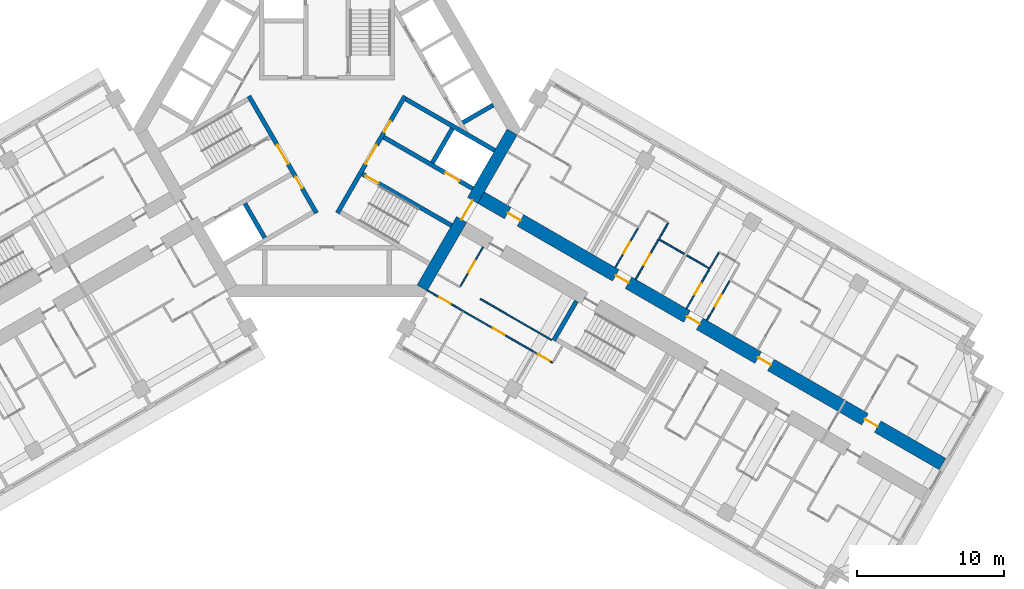
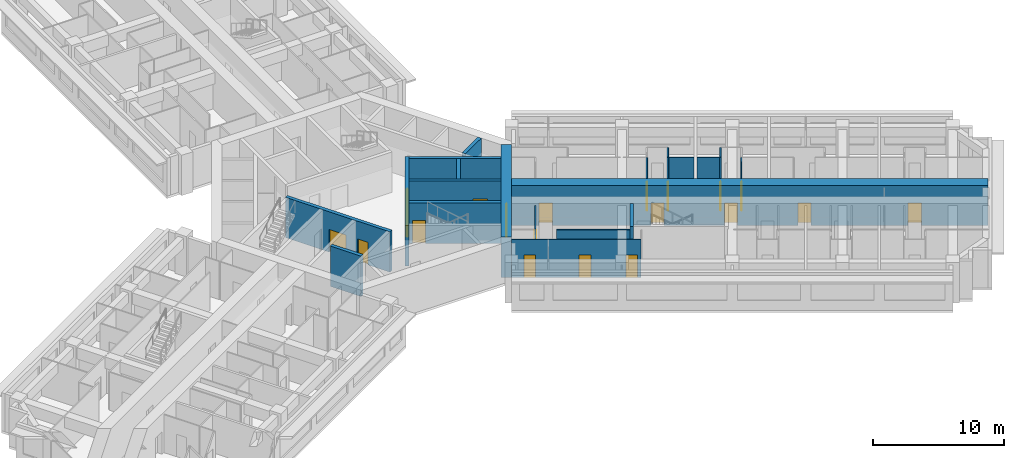
# One storey, part 6 of 13: 22 walls, 20 doors, 20 openings.
"""IFC4 building model written with IfcOpenShell, lengths in metres."""

from ifc_helpers import new_model, si_unit, direction, frame, frame_2d, origin, place, context, subcontext, project, spatial, rectangle, extrude, material, layer, layer_set, type_object, element, fill, save


model = new_model("IFC4")

# Units and contexts
model_context = context("Model", 3, precision=1e-05, world=origin(), true_north=direction((0.0, 1.0)))
body_context = subcontext(model_context, "Body", "Model", "MODEL_VIEW")
ifc_project = project(units=[si_unit("LENGTHUNIT", "METRE"), si_unit("AREAUNIT", "SQUARE_METRE"), si_unit("VOLUMEUNIT", "CUBIC_METRE"), si_unit("PLANEANGLEUNIT", "RADIAN"), si_unit("MASSUNIT", "GRAM", prefix="KILO")], contexts=[model_context])

# Site, building, storey
site_placement = place(None, origin())
site = spatial("IfcSite", under=ifc_project, at=site_placement, CompositionType="ELEMENT")
building_placement = place(site_placement, origin())
building = spatial("IfcBuilding", under=site, at=building_placement, Name="Impinga Residences", CompositionType="ELEMENT")
storey_placement = place(building_placement, frame((0.0, 0.0, 139.75)))
storey = spatial("IfcBuildingStorey", under=building, at=storey_placement, Name="L34", CompositionType="ELEMENT", Elevation=139.75)

# Wall, openings, doors
ifc_material_1 = material(Name="Concrete C60/75", Category="concrete")
ifc_layer_1 = layer(ifc_material_1, 0.89990234375)
ifc_layer_set_1 = layer_set([ifc_layer_1], Name="Concrete C60/75")
wall_type_1 = type_object("IfcWallType", Name="BW2 corridor buttress wall, L24 to L44 900", PredefinedType="SHEAR", material=ifc_layer_set_1)
wall_1_placement = place(storey_placement, frame((10.153564453125, -4.4765625, 0.0), z_axis=(0.0, 0.0, 1.0), x_axis=(0.866027614434, -0.499996171023, 0.0)))
wall_1 = element("IfcWall", 1, at=wall_1_placement, inside=storey, type_object=wall_type_1, Name="Corridor wall BW2 EC L34", PredefinedType="SHEAR", context=body_context, shape_type="SweptSolid", body=[
    extrude(rectangle(XDim=36.699951171875, YDim=0.89990234375, at=frame_2d((18.35009765625, 0.0))), origin(), (0.0, 0.0, 1.0), 3.75),
])
opening_1_placement = place(wall_1_placement, frame((2.5, 0.0, 0.0)))
opening_1 = element("IfcOpeningElement", 2, at=opening_1_placement, cuts=wall_1, Name="Opening D1", PredefinedType="OPENING", context=body_context, shape_type="SweptSolid", body=[
    extrude(rectangle(XDim=1.0, YDim=2.10009765625, at=frame_2d((0.5, 1.050048828125))), frame((0.0, 0.4599609375, 0.0), z_axis=(0.0, -1.0, 0.0), x_axis=(1.0, 0.0, 0.0)), (0.0, 0.0, 1.0), 0.919921875),
])
opening_2_placement = place(wall_1_placement, frame((11.0, 0.0, 0.0)))
opening_2 = element("IfcOpeningElement", 3, at=opening_2_placement, cuts=wall_1, Name="Opening D1", PredefinedType="OPENING", context=body_context, shape_type="SweptSolid", body=[
    extrude(rectangle(XDim=1.0, YDim=2.10009765625, at=frame_2d((0.5, 1.050048828125))), frame((0.0, 0.4599609375, 0.0), z_axis=(0.0, -1.0, 0.0), x_axis=(1.0, 0.0, 0.0)), (0.0, 0.0, 1.0), 0.919921875),
])
opening_3_placement = place(wall_1_placement, frame((16.60009765625, 0.0, 0.0)))
opening_3 = element("IfcOpeningElement", 4, at=opening_3_placement, cuts=wall_1, Name="Opening D1", PredefinedType="OPENING", context=body_context, shape_type="SweptSolid", body=[
    extrude(rectangle(XDim=1.0, YDim=2.10009765625, at=frame_2d((0.5, 1.050048828125))), frame((0.0, 0.4599609375, 0.0), z_axis=(0.0, -1.0, 0.0), x_axis=(1.0, 0.0, 0.0)), (0.0, 0.0, 1.0), 0.919921875),
])
opening_4_placement = place(wall_1_placement, frame((22.199951171875, 0.0, 0.0)))
opening_4 = element("IfcOpeningElement", 5, at=opening_4_placement, cuts=wall_1, Name="Opening D1", PredefinedType="OPENING", context=body_context, shape_type="SweptSolid", body=[
    extrude(rectangle(XDim=1.0, YDim=2.10009765625, at=frame_2d((0.5, 1.050048828125))), frame((0.0, 0.4599609375, 0.0), z_axis=(0.0, -1.0, 0.0), x_axis=(1.0, 0.0, 0.0)), (0.0, 0.0, 1.0), 0.919921875),
])
opening_5_placement = place(wall_1_placement, frame((30.60009765625, 0.0, 0.0)))
opening_5 = element("IfcOpeningElement", 6, at=opening_5_placement, cuts=wall_1, Name="Opening D1", PredefinedType="OPENING", context=body_context, shape_type="SweptSolid", body=[
    extrude(rectangle(XDim=1.0, YDim=2.10009765625, at=frame_2d((0.5, 1.050048828125))), frame((0.0, 0.4599609375, 0.0), z_axis=(0.0, -1.0, 0.0), x_axis=(1.0, 0.0, 0.0)), (0.0, 0.0, 1.0), 0.919921875),
])
ifc_material_2 = material(Name="Timber door set", Category="wood")
door_type_1 = type_object("IfcDoorType", Name="D1 apartment entrance door 1000x2100", OperationType="SINGLE_SWING_LEFT", PredefinedType="DOOR", material=ifc_material_2)
door_1_placement = place(opening_1_placement, origin())
door_1 = element("IfcDoor", 7, at=door_1_placement, inside=storey, type_object=door_type_1, Name="Apartment L34-EA1 entrance", OperationType="SINGLE_SWING_LEFT", OverallHeight=2.10009765625, OverallWidth=1.0, PredefinedType="DOOR", context=body_context, shape_type="SweptSolid", body=[
    extrude(rectangle(XDim=1.0, YDim=2.10009765625, at=frame_2d((0.5, 1.050048828125))), frame((0.0, 0.02490234375, 0.0), z_axis=(0.0, -1.0, 0.0), x_axis=(1.0, 0.0, 0.0)), (0.0, 0.0, 1.0), 0.050048828125),
])
fill(opening_1, door_1)
door_2_placement = place(opening_2_placement, origin())
door_2 = element("IfcDoor", 8, at=door_2_placement, inside=storey, type_object=door_type_1, Name="Apartment L34-EA2 entrance", OperationType="SINGLE_SWING_LEFT", OverallHeight=2.10009765625, OverallWidth=1.0, PredefinedType="DOOR", context=body_context, shape_type="SweptSolid", body=[
    extrude(rectangle(XDim=1.0, YDim=2.10009765625, at=frame_2d((0.5, 1.050048828125))), frame((0.0, 0.02490234375, 0.0), z_axis=(0.0, -1.0, 0.0), x_axis=(1.0, 0.0, 0.0)), (0.0, 0.0, 1.0), 0.050048828125),
])
fill(opening_2, door_2)
door_3_placement = place(opening_3_placement, origin())
door_3 = element("IfcDoor", 9, at=door_3_placement, inside=storey, type_object=door_type_1, Name="Apartment L34-EA3 entrance", OperationType="SINGLE_SWING_LEFT", OverallHeight=2.10009765625, OverallWidth=1.0, PredefinedType="DOOR", context=body_context, shape_type="SweptSolid", body=[
    extrude(rectangle(XDim=1.0, YDim=2.10009765625, at=frame_2d((0.5, 1.050048828125))), frame((0.0, 0.02490234375, 0.0), z_axis=(0.0, -1.0, 0.0), x_axis=(1.0, 0.0, 0.0)), (0.0, 0.0, 1.0), 0.050048828125),
])
fill(opening_3, door_3)
door_4_placement = place(opening_4_placement, origin())
door_4 = element("IfcDoor", 10, at=door_4_placement, inside=storey, type_object=door_type_1, Name="Apartment L34-EA4 entrance", OperationType="SINGLE_SWING_RIGHT", OverallHeight=2.10009765625, OverallWidth=1.0, PredefinedType="DOOR", context=body_context, shape_type="SweptSolid", body=[
    extrude(rectangle(XDim=1.0, YDim=2.10009765625, at=frame_2d((0.5, 1.050048828125))), frame((0.0, 0.02490234375, 0.0), z_axis=(0.0, -1.0, 0.0), x_axis=(1.0, 0.0, 0.0)), (0.0, 0.0, 1.0), 0.050048828125),
])
fill(opening_4, door_4)
door_5_placement = place(opening_5_placement, origin())
door_5 = element("IfcDoor", 11, at=door_5_placement, inside=storey, type_object=door_type_1, Name="Apartment L34-EA5 entrance", OperationType="SINGLE_SWING_RIGHT", OverallHeight=2.10009765625, OverallWidth=1.0, PredefinedType="DOOR", context=body_context, shape_type="SweptSolid", body=[
    extrude(rectangle(XDim=1.0, YDim=2.10009765625, at=frame_2d((0.5, 1.050048828125))), frame((0.0, 0.02490234375, 0.0), z_axis=(0.0, -1.0, 0.0), x_axis=(1.0, 0.0, 0.0)), (0.0, 0.0, 1.0), 0.050048828125),
])
fill(opening_5, door_5)

# Walls
ifc_material_3 = material(Name="Gypsum board on steel studs", Category="steel")
ifc_layer_2 = layer(ifc_material_3, 0.10009765625)
ifc_layer_set_2 = layer_set([ifc_layer_2], Name="Gypsum board on steel studs")
wall_type_2 = type_object("IfcWallType", Name="IP1 partition 100", PredefinedType="PARTITIONING", material=ifc_layer_set_2)
wall_2_placement = place(storey_placement, frame((22.605712890625, -7.5087890625, 0.0), z_axis=(0.0, 0.0, 1.0), x_axis=(0.866010750942, -0.50002537861, 0.0)))
element("IfcWall", 12, at=wall_2_placement, inside=storey, type_object=wall_type_2, Name="Partition L34-EA2:DIV1", PredefinedType="PARTITIONING", context=body_context, shape_type="SweptSolid", body=[
    extrude(rectangle(XDim=2.0, YDim=0.10009765625, at=frame_2d((1.0, 0.0))), origin(), (0.0, 0.0, 1.0), 3.530029296875),
])
wall_3_placement = place(storey_placement, frame((22.630615234375, -7.465576171875, 0.0), z_axis=(0.0, 0.0, 1.0), x_axis=(0.500033551112, 0.866006032174, 0.0)))
element("IfcWall", 13, at=wall_3_placement, inside=storey, type_object=wall_type_2, Name="Partition L34-EA2:SE1", PredefinedType="PARTITIONING", context=body_context, shape_type="SweptSolid", body=[
    extrude(rectangle(XDim=1.2001953125, YDim=0.10009765625, at=frame_2d((0.60009765625, 0.0))), origin(), (0.0, 0.0, 1.0), 3.530029296875),
])

# Wall, opening, door
wall_4_placement = place(storey_placement, frame((19.64501953125, -9.436767578125, 0.0), z_axis=(0.0, 0.0, 1.0), x_axis=(0.500026960575, 0.86600983753, 0.0)))
wall_4 = element("IfcWall", 14, at=wall_4_placement, inside=storey, type_object=wall_type_2, Name="Partition L34-EA2:IB1", PredefinedType="PARTITIONING", context=body_context, shape_type="SweptSolid", body=[
    extrude(rectangle(XDim=3.099853515625, YDim=0.10009765625, at=frame_2d((1.5498046875, 0.0))), origin(), (0.0, 0.0, 1.0), 3.530029296875),
])
opening_6_placement = place(wall_4_placement, frame((1.10009765625, 0.0, 0.0)))
opening_6 = element("IfcOpeningElement", 15, at=opening_6_placement, cuts=wall_4, Name="Opening D2", PredefinedType="OPENING", context=body_context, shape_type="SweptSolid", body=[
    extrude(rectangle(XDim=0.89990234375, YDim=2.10009765625, at=frame_2d((0.449951171875, 1.050048828125))), frame((0.0, 0.06005859375, 0.0), z_axis=(0.0, -1.0, 0.0), x_axis=(1.0, 0.0, 0.0)), (0.0, 0.0, 1.0), 0.1201171875),
])
door_type_2 = type_object("IfcDoorType", Name="D2 internal door 900x2100", OperationType="SINGLE_SWING_LEFT", PredefinedType="DOOR", material=ifc_material_2)
door_6_placement = place(opening_6_placement, origin())
door_6 = element("IfcDoor", 16, at=door_6_placement, inside=storey, type_object=door_type_2, Name="Apartment L34-EA2 bathroom door", OperationType="SINGLE_SWING_LEFT", OverallHeight=2.10009765625, OverallWidth=0.89990234375, PredefinedType="DOOR", context=body_context, shape_type="SweptSolid", body=[
    extrude(rectangle(XDim=0.89990234375, YDim=2.10009765625, at=frame_2d((0.449951171875, 1.050048828125))), frame((0.0, 0.02490234375, 0.0), z_axis=(0.0, -1.0, 0.0), x_axis=(1.0, 0.0, 0.0)), (0.0, 0.0, 1.0), 0.050048828125),
])
fill(opening_6, door_6)

wall_5_placement = place(storey_placement, frame((21.03076171875, -10.23681640625, 0.0), z_axis=(0.0, 0.0, 1.0), x_axis=(0.500026960575, 0.86600983753, 0.0)))
wall_5 = element("IfcWall", 17, at=wall_5_placement, inside=storey, type_object=wall_type_2, Name="Partition L34-EA2:IB2", PredefinedType="PARTITIONING", context=body_context, shape_type="SweptSolid", body=[
    extrude(rectangle(XDim=3.099853515625, YDim=0.10009765625, at=frame_2d((1.5498046875, 0.0))), origin(), (0.0, 0.0, 1.0), 3.530029296875),
])
opening_7_placement = place(wall_5_placement, frame((1.10009765625, 0.0, 0.0)))
opening_7 = element("IfcOpeningElement", 18, at=opening_7_placement, cuts=wall_5, Name="Opening D2", PredefinedType="OPENING", context=body_context, shape_type="SweptSolid", body=[
    extrude(rectangle(XDim=0.89990234375, YDim=2.10009765625, at=frame_2d((0.449951171875, 1.050048828125))), frame((0.0, 0.06005859375, 0.0), z_axis=(0.0, -1.0, 0.0), x_axis=(1.0, 0.0, 0.0)), (0.0, 0.0, 1.0), 0.1201171875),
])
door_7_placement = place(opening_7_placement, origin())
door_7 = element("IfcDoor", 19, at=door_7_placement, inside=storey, type_object=door_type_2, Name="Apartment L34-EA2 WC door", OperationType="SINGLE_SWING_LEFT", OverallHeight=2.10009765625, OverallWidth=0.89990234375, PredefinedType="DOOR", context=body_context, shape_type="SweptSolid", body=[
    extrude(rectangle(XDim=0.89990234375, YDim=2.10009765625, at=frame_2d((0.449951171875, 1.050048828125))), frame((0.0, 0.02490234375, 0.0), z_axis=(0.0, -1.0, 0.0), x_axis=(1.0, 0.0, 0.0)), (0.0, 0.0, 1.0), 0.050048828125),
])
fill(opening_7, door_7)

# Walls
wall_6_placement = place(storey_placement, frame((24.510986328125, -8.60888671875, 0.0), z_axis=(0.0, 0.0, 1.0), x_axis=(0.866047807691, -0.499961193289, 0.0)))
element("IfcWall", 20, at=wall_6_placement, inside=storey, type_object=wall_type_2, Name="Partition L34-EA3:DIV0", PredefinedType="PARTITIONING", context=body_context, shape_type="SweptSolid", body=[
    extrude(rectangle(XDim=1.800048828125, YDim=0.10009765625, at=frame_2d((0.89990234375, 0.0))), origin(), (0.0, 0.0, 1.0), 3.530029296875),
])
wall_7_placement = place(storey_placement, frame((26.0947265625, -9.465576171875, 0.0), z_axis=(0.0, 0.0, 1.0), x_axis=(0.500033551112, 0.866006032174, 0.0)))
element("IfcWall", 21, at=wall_7_placement, inside=storey, type_object=wall_type_2, Name="Partition L34-EA3:SE0", PredefinedType="PARTITIONING", context=body_context, shape_type="SweptSolid", body=[
    extrude(rectangle(XDim=1.2001953125, YDim=0.10009765625, at=frame_2d((0.60009765625, 0.0))), origin(), (0.0, 0.0, 1.0), 3.530029296875),
])

# Wall, opening, door
wall_8_placement = place(storey_placement, frame((24.494873046875, -12.23681640625, 0.0), z_axis=(0.0, 0.0, 1.0), x_axis=(0.500026960575, 0.86600983753, 0.0)))
wall_8 = element("IfcWall", 22, at=wall_8_placement, inside=storey, type_object=wall_type_2, Name="Partition L34-EA3:IB1", PredefinedType="PARTITIONING", context=body_context, shape_type="SweptSolid", body=[
    extrude(rectangle(XDim=3.099853515625, YDim=0.10009765625, at=frame_2d((1.5498046875, 0.0))), origin(), (0.0, 0.0, 1.0), 3.530029296875),
])
opening_8_placement = place(wall_8_placement, frame((1.10009765625, 0.0, 0.0)))
opening_8 = element("IfcOpeningElement", 23, at=opening_8_placement, cuts=wall_8, Name="Opening D2", PredefinedType="OPENING", context=body_context, shape_type="SweptSolid", body=[
    extrude(rectangle(XDim=0.89990234375, YDim=2.10009765625, at=frame_2d((0.449951171875, 1.050048828125))), frame((0.0, 0.06005859375, 0.0), z_axis=(0.0, -1.0, 0.0), x_axis=(1.0, 0.0, 0.0)), (0.0, 0.0, 1.0), 0.1201171875),
])
door_8_placement = place(opening_8_placement, origin())
door_8 = element("IfcDoor", 24, at=door_8_placement, inside=storey, type_object=door_type_2, Name="Apartment L34-EA3 bathroom door", OperationType="SINGLE_SWING_LEFT", OverallHeight=2.10009765625, OverallWidth=0.89990234375, PredefinedType="DOOR", context=body_context, shape_type="SweptSolid", body=[
    extrude(rectangle(XDim=0.89990234375, YDim=2.10009765625, at=frame_2d((0.449951171875, 1.050048828125))), frame((0.0, 0.02490234375, 0.0), z_axis=(0.0, -1.0, 0.0), x_axis=(1.0, 0.0, 0.0)), (0.0, 0.0, 1.0), 0.050048828125),
])
fill(opening_8, door_8)

wall_9_placement = place(storey_placement, frame((25.88037109375, -13.036865234375, 0.0), z_axis=(0.0, 0.0, 1.0), x_axis=(0.49999285859, 0.86602952684, 0.0)))
wall_9 = element("IfcWall", 25, at=wall_9_placement, inside=storey, type_object=wall_type_2, Name="Partition L34-EA3:IB2", PredefinedType="PARTITIONING", context=body_context, shape_type="SweptSolid", body=[
    extrude(rectangle(XDim=3.10009765625, YDim=0.10009765625, at=frame_2d((1.550048828125, 0.0))), origin(), (0.0, 0.0, 1.0), 3.530029296875),
])
opening_9_placement = place(wall_9_placement, frame((1.10009765625, 0.0, 0.0)))
opening_9 = element("IfcOpeningElement", 26, at=opening_9_placement, cuts=wall_9, Name="Opening D2", PredefinedType="OPENING", context=body_context, shape_type="SweptSolid", body=[
    extrude(rectangle(XDim=0.89990234375, YDim=2.10009765625, at=frame_2d((0.449951171875, 1.050048828125))), frame((0.0, 0.06005859375, 0.0), z_axis=(0.0, -1.0, 0.0), x_axis=(1.0, 0.0, 0.0)), (0.0, 0.0, 1.0), 0.1201171875),
])
door_9_placement = place(opening_9_placement, origin())
door_9 = element("IfcDoor", 27, at=door_9_placement, inside=storey, type_object=door_type_2, Name="Apartment L34-EA3 WC door", OperationType="SINGLE_SWING_LEFT", OverallHeight=2.10009765625, OverallWidth=0.89990234375, PredefinedType="DOOR", context=body_context, shape_type="SweptSolid", body=[
    extrude(rectangle(XDim=0.89990234375, YDim=2.10009765625, at=frame_2d((0.449951171875, 1.050048828125))), frame((0.0, 0.02490234375, 0.0), z_axis=(0.0, -1.0, 0.0), x_axis=(1.0, 0.0, 0.0)), (0.0, 0.0, 1.0), 0.050048828125),
])
fill(opening_9, door_9)

# Wall
wall_10_placement = place(storey_placement, frame((10.444580078125, -11.57275390625, 0.0), z_axis=(0.0, 0.0, 1.0), x_axis=(0.866015695474, -0.500016814911, 0.0)))
element("IfcWall", 28, at=wall_10_placement, inside=storey, type_object=wall_type_2, Name="Partition L34-EF1:DIV1", PredefinedType="PARTITIONING", context=body_context, shape_type="SweptSolid", body=[
    extrude(rectangle(XDim=5.599853515625, YDim=0.10009765625, at=frame_2d((2.7998046875, 0.0))), origin(), (0.0, 0.0, 1.0), 3.530029296875),
])

# Wall, openings, doors
wall_11_placement = place(storey_placement, frame((6.85009765625, -10.99853515625, 0.0), z_axis=(0.0, 0.0, 1.0), x_axis=(0.866021308241, -0.500007093622, 0.0)))
wall_11 = element("IfcWall", 29, at=wall_11_placement, inside=storey, type_object=wall_type_2, Name="Partition L34-EF1:STRIP", PredefinedType="PARTITIONING", context=body_context, shape_type="SweptSolid", body=[
    extrude(rectangle(XDim=9.849853515625, YDim=0.10009765625, at=frame_2d((4.9248046875, 0.0))), origin(), (0.0, 0.0, 1.0), 3.530029296875),
])
opening_10_placement = place(wall_11_placement, frame((0.925048828125, 0.0, 0.0)))
opening_10 = element("IfcOpeningElement", 30, at=opening_10_placement, cuts=wall_11, Name="Opening D2", PredefinedType="OPENING", context=body_context, shape_type="SweptSolid", body=[
    extrude(rectangle(XDim=0.89990234375, YDim=2.10009765625, at=frame_2d((0.449951171875, 1.050048828125))), frame((0.0, 0.06005859375, 0.0), z_axis=(0.0, -1.0, 0.0), x_axis=(1.0, 0.0, 0.0)), (0.0, 0.0, 1.0), 0.1201171875),
])
opening_11_placement = place(wall_11_placement, frame((5.14990234375, 0.0, 0.0)))
opening_11 = element("IfcOpeningElement", 31, at=opening_11_placement, cuts=wall_11, Name="Opening D2", PredefinedType="OPENING", context=body_context, shape_type="SweptSolid", body=[
    extrude(rectangle(XDim=0.89990234375, YDim=2.10009765625, at=frame_2d((0.449951171875, 1.050048828125))), frame((0.0, 0.06005859375, 0.0), z_axis=(0.0, -1.0, 0.0), x_axis=(1.0, 0.0, 0.0)), (0.0, 0.0, 1.0), 0.1201171875),
])
opening_12_placement = place(wall_11_placement, frame((8.699951171875, 0.0, 0.0)))
opening_12 = element("IfcOpeningElement", 32, at=opening_12_placement, cuts=wall_11, Name="Opening D2", PredefinedType="OPENING", context=body_context, shape_type="SweptSolid", body=[
    extrude(rectangle(XDim=0.89990234375, YDim=2.10009765625, at=frame_2d((0.449951171875, 1.050048828125))), frame((0.0, 0.06005859375, 0.0), z_axis=(0.0, -1.0, 0.0), x_axis=(1.0, 0.0, 0.0)), (0.0, 0.0, 1.0), 0.1201171875),
])
door_10_placement = place(opening_10_placement, origin())
door_10 = element("IfcDoor", 33, at=door_10_placement, inside=storey, type_object=door_type_2, Name="Apartment L34-EF1 room door", OperationType="SINGLE_SWING_LEFT", OverallHeight=2.10009765625, OverallWidth=0.89990234375, PredefinedType="DOOR", context=body_context, shape_type="SweptSolid", body=[
    extrude(rectangle(XDim=0.89990234375, YDim=2.10009765625, at=frame_2d((0.449951171875, 1.050048828125))), frame((0.0, 0.02490234375, 0.0), z_axis=(0.0, -1.0, 0.0), x_axis=(1.0, 0.0, 0.0)), (0.0, 0.0, 1.0), 0.050048828125),
])
fill(opening_10, door_10)
door_11_placement = place(opening_11_placement, origin())
door_11 = element("IfcDoor", 34, at=door_11_placement, inside=storey, type_object=door_type_2, Name="Apartment L34-EF1 room door", OperationType="SINGLE_SWING_RIGHT", OverallHeight=2.10009765625, OverallWidth=0.89990234375, PredefinedType="DOOR", context=body_context, shape_type="SweptSolid", body=[
    extrude(rectangle(XDim=0.89990234375, YDim=2.10009765625, at=frame_2d((0.449951171875, 1.050048828125))), frame((0.0, 0.02490234375, 0.0), z_axis=(0.0, -1.0, 0.0), x_axis=(1.0, 0.0, 0.0)), (0.0, 0.0, 1.0), 0.050048828125),
])
fill(opening_11, door_11)
door_12_placement = place(opening_12_placement, origin())
door_12 = element("IfcDoor", 35, at=door_12_placement, inside=storey, type_object=door_type_2, Name="Apartment L34-EF1 room door", OperationType="SINGLE_SWING_RIGHT", OverallHeight=2.10009765625, OverallWidth=0.89990234375, PredefinedType="DOOR", context=body_context, shape_type="SweptSolid", body=[
    extrude(rectangle(XDim=0.89990234375, YDim=2.10009765625, at=frame_2d((0.449951171875, 1.050048828125))), frame((0.0, 0.02490234375, 0.0), z_axis=(0.0, -1.0, 0.0), x_axis=(1.0, 0.0, 0.0)), (0.0, 0.0, 1.0), 0.050048828125),
])
fill(opening_12, door_12)

# Wall, opening, door
wall_12_placement = place(storey_placement, frame((10.6337890625, -8.044677734375, 0.0), z_axis=(0.0, 0.0, 1.0), x_axis=(-0.49999285859, -0.86602952684, 0.0)))
wall_12 = element("IfcWall", 36, at=wall_12_placement, inside=storey, type_object=wall_type_2, Name="Partition L34-EF1:IB1", PredefinedType="PARTITIONING", context=body_context, shape_type="SweptSolid", body=[
    extrude(rectangle(XDim=3.10009765625, YDim=0.10009765625, at=frame_2d((1.550048828125, 0.0))), origin(), (0.0, 0.0, 1.0), 3.530029296875),
])
opening_13_placement = place(wall_12_placement, frame((1.10009765625, 0.0, 0.0)))
opening_13 = element("IfcOpeningElement", 37, at=opening_13_placement, cuts=wall_12, Name="Opening D2", PredefinedType="OPENING", context=body_context, shape_type="SweptSolid", body=[
    extrude(rectangle(XDim=0.89990234375, YDim=2.10009765625, at=frame_2d((0.449951171875, 1.050048828125))), frame((0.0, 0.06005859375, 0.0), z_axis=(0.0, -1.0, 0.0), x_axis=(1.0, 0.0, 0.0)), (0.0, 0.0, 1.0), 0.1201171875),
])
door_13_placement = place(opening_13_placement, origin())
door_13 = element("IfcDoor", 38, at=door_13_placement, inside=storey, type_object=door_type_2, Name="Apartment L34-EF1 bathroom door", OperationType="SINGLE_SWING_LEFT", OverallHeight=2.10009765625, OverallWidth=0.89990234375, PredefinedType="DOOR", context=body_context, shape_type="SweptSolid", body=[
    extrude(rectangle(XDim=0.89990234375, YDim=2.10009765625, at=frame_2d((0.449951171875, 1.050048828125))), frame((0.0, 0.02490234375, 0.0), z_axis=(0.0, -1.0, 0.0), x_axis=(1.0, 0.0, 0.0)), (0.0, 0.0, 1.0), 0.050048828125),
])
fill(opening_13, door_13)

# Wall
ifc_layer_3 = layer(ifc_material_1, 0.300048828125)
ifc_layer_set_3 = layer_set([ifc_layer_3], Name="Concrete C60/75")
wall_type_3 = type_object("IfcWallType", Name="SE1 wing stair enclosure wall 300", PredefinedType="SOLIDWALL", material=ifc_layer_set_3)
wall_13_placement = place(storey_placement, frame((16.9990234375, -11.7197265625, 0.0), z_axis=(0.0, 0.0, 1.0), x_axis=(-0.499967891604, -0.866043940782, 0.0)))
element("IfcWall", 39, at=wall_13_placement, inside=storey, type_object=wall_type_3, Name="Stair enclosure wall SE1 E END0 L34", PredefinedType="SOLIDWALL", context=body_context, shape_type="SweptSolid", body=[
    extrude(rectangle(XDim=3.099853515625, YDim=0.300048828125, at=frame_2d((1.5498046875, 0.0))), origin(), (0.0, 0.0, 1.0), 3.75),
])

# Wall, opening, door
ifc_layer_4 = layer(ifc_material_1, 0.800048828125)
ifc_layer_set_4 = layer_set([ifc_layer_4], Name="Concrete C60/75")
wall_type_4 = type_object("IfcWallType", Name="SW2 core wall 800", PredefinedType="SHEAR", material=ifc_layer_set_4)
wall_14_placement = place(storey_placement, frame((12.62255859375, -0.199951171875, 0.0), z_axis=(0.0, 0.0, 1.0), x_axis=(-0.499986991068, -0.866032914365, 0.0)))
wall_14 = element("IfcWall", 40, at=wall_14_placement, inside=storey, type_object=wall_type_4, Name="Core wall SW2 E:FACE L34", PredefinedType="SHEAR", context=body_context, shape_type="SweptSolid", body=[
    extrude(rectangle(XDim=12.276123046875, YDim=0.800048828125, at=frame_2d((6.13818359375, 0.0))), origin(), (0.0, 0.0, 1.0), 3.75),
])
opening_14_placement = place(wall_14_placement, frame((5.38818359375, 0.0, 0.0)))
opening_14 = element("IfcOpeningElement", 41, at=opening_14_placement, cuts=wall_14, Name="Opening D4", PredefinedType="OPENING", context=body_context, shape_type="SweptSolid", body=[
    extrude(rectangle(XDim=1.5, YDim=2.10009765625, at=frame_2d((0.75, 1.050048828125))), frame((0.0, 0.409912109375, 0.0), z_axis=(0.0, -1.0, 0.0), x_axis=(1.0, 0.0, 0.0)), (0.0, 0.0, 1.0), 0.820068359375),
])
door_type_3 = type_object("IfcDoorType", Name="D4 lobby door pair 1500x2100", OperationType="DOUBLE_DOOR_DOUBLE_SWING", PredefinedType="DOOR", material=ifc_material_2)
door_14_placement = place(opening_14_placement, origin())
door_14 = element("IfcDoor", 42, at=door_14_placement, inside=storey, type_object=door_type_3, Name="Lobby door E", OperationType="DOUBLE_DOOR_DOUBLE_SWING", OverallHeight=2.10009765625, OverallWidth=1.5, PredefinedType="DOOR", context=body_context, shape_type="SweptSolid", body=[
    extrude(rectangle(XDim=1.5, YDim=2.10009765625, at=frame_2d((0.75, 1.050048828125))), frame((0.0, 0.02490234375, 0.0), z_axis=(0.0, -1.0, 0.0), x_axis=(1.0, 0.0, 0.0)), (0.0, 0.0, 1.0), 0.050048828125),
])
fill(opening_14, door_14)

# Wall, openings, doors
ifc_material_4 = material(Name="Concrete C70/85", Category="concrete")
ifc_layer_5 = layer(ifc_material_4, 0.300048828125)
ifc_layer_set_5 = layer_set([ifc_layer_5], Name="Concrete C70/85")
wall_type_5 = type_object("IfcWallType", Name="SW5 core inner wall, stairs, shafts and lobbies 300", PredefinedType="SHEAR", material=ifc_layer_set_5)
wall_15_placement = place(storey_placement, frame((-0.7138671875, -5.7236328125, 0.0), z_axis=(0.0, 0.0, 1.0), x_axis=(-0.499995050369, 0.866028261437, 0.0)))
wall_15 = element("IfcWall", 43, at=wall_15_placement, inside=storey, type_object=wall_type_5, Name="Core wall SW5 W:ZONE L34", PredefinedType="SHEAR", context=body_context, shape_type="SweptSolid", body=[
    extrude(rectangle(XDim=9.19970703125, YDim=0.300048828125, at=frame_2d((4.599853515625, 0.0))), origin(), (0.0, 0.0, 1.0), 3.75),
])
opening_15_placement = place(wall_15_placement, frame((3.85009765625, 0.0, 0.0)))
opening_15 = element("IfcOpeningElement", 44, at=opening_15_placement, cuts=wall_15, Name="Opening D4", PredefinedType="OPENING", context=body_context, shape_type="SweptSolid", body=[
    extrude(rectangle(XDim=1.5, YDim=2.10009765625, at=frame_2d((0.75, 1.050048828125))), frame((0.0, 0.159912109375, 0.0), z_axis=(0.0, -1.0, 0.0), x_axis=(1.0, 0.0, 0.0)), (0.0, 0.0, 1.0), 0.320068359375),
])
opening_16_placement = place(wall_15_placement, frame((1.949951171875, 0.0, 0.0)))
opening_16 = element("IfcOpeningElement", 45, at=opening_16_placement, cuts=wall_15, Name="Opening D6", PredefinedType="OPENING", context=body_context, shape_type="SweptSolid", body=[
    extrude(rectangle(XDim=0.89990234375, YDim=2.10009765625, at=frame_2d((0.449951171875, 1.050048828125))), frame((0.0, 0.159912109375, 0.0), z_axis=(0.0, -1.0, 0.0), x_axis=(1.0, 0.0, 0.0)), (0.0, 0.0, 1.0), 0.320068359375),
])
door_15_placement = place(opening_15_placement, origin())
door_15 = element("IfcDoor", 46, at=door_15_placement, inside=storey, type_object=door_type_3, Name="Firefighting lobby door W", OperationType="DOUBLE_DOOR_DOUBLE_SWING", OverallHeight=2.10009765625, OverallWidth=1.5, PredefinedType="DOOR", context=body_context, shape_type="SweptSolid", body=[
    extrude(rectangle(XDim=1.5, YDim=2.10009765625, at=frame_2d((0.75, 1.050048828125))), frame((0.0, 0.02490234375, 0.0), z_axis=(0.0, -1.0, 0.0), x_axis=(1.0, 0.0, 0.0)), (0.0, 0.0, 1.0), 0.050048828125),
])
fill(opening_15, door_15)
door_type_4 = type_object("IfcDoorType", Name="D6 riser and store door 900x2100", OperationType="SINGLE_SWING_LEFT", PredefinedType="DOOR", material=ifc_material_2)
door_16_placement = place(opening_16_placement, origin())
door_16 = element("IfcDoor", 47, at=door_16_placement, inside=storey, type_object=door_type_4, Name="Riser door W", OperationType="SINGLE_SWING_LEFT", OverallHeight=2.10009765625, OverallWidth=0.89990234375, PredefinedType="DOOR", context=body_context, shape_type="SweptSolid", body=[
    extrude(rectangle(XDim=0.89990234375, YDim=2.10009765625, at=frame_2d((0.449951171875, 1.050048828125))), frame((0.0, 0.02490234375, 0.0), z_axis=(0.0, -1.0, 0.0), x_axis=(1.0, 0.0, 0.0)), (0.0, 0.0, 1.0), 0.050048828125),
])
fill(opening_16, door_16)

# Wall
wall_16_placement = place(storey_placement, frame((-4.2412109375, -7.413818359375, 0.0), z_axis=(0.0, 0.0, 1.0), x_axis=(-0.500048589285, 0.86599734893, 0.0)))
element("IfcWall", 48, at=wall_16_placement, inside=storey, type_object=wall_type_5, Name="Core wall SW5 W:FF-RS L34", PredefinedType="SHEAR", context=body_context, shape_type="SweptSolid", body=[
    extrude(rectangle(XDim=2.699951171875, YDim=0.300048828125, at=frame_2d((1.35009765625, 0.0))), origin(), (0.0, 0.0, 1.0), 3.75),
])

# Wall, openings, doors
wall_17_placement = place(storey_placement, frame((5.313720703125, 2.24365234375, 0.0), z_axis=(0.0, 0.0, 1.0), x_axis=(-0.499995050369, -0.866028261437, 0.0)))
wall_17 = element("IfcWall", 49, at=wall_17_placement, inside=storey, type_object=wall_type_5, Name="Core wall SW5 E:ZONE L34", PredefinedType="SHEAR", context=body_context, shape_type="SweptSolid", body=[
    extrude(rectangle(XDim=9.19970703125, YDim=0.300048828125, at=frame_2d((4.599853515625, 0.0))), origin(), (0.0, 0.0, 1.0), 3.75),
])
opening_17_placement = place(wall_17_placement, frame((3.85009765625, 0.0, 0.0)))
opening_17 = element("IfcOpeningElement", 50, at=opening_17_placement, cuts=wall_17, Name="Opening D4", PredefinedType="OPENING", context=body_context, shape_type="SweptSolid", body=[
    extrude(rectangle(XDim=1.5, YDim=2.10009765625, at=frame_2d((0.75, 1.050048828125))), frame((0.0, 0.159912109375, 0.0), z_axis=(0.0, -1.0, 0.0), x_axis=(1.0, 0.0, 0.0)), (0.0, 0.0, 1.0), 0.320068359375),
])
opening_18_placement = place(wall_17_placement, frame((1.949951171875, 0.0, 0.0)))
opening_18 = element("IfcOpeningElement", 51, at=opening_18_placement, cuts=wall_17, Name="Opening D6", PredefinedType="OPENING", context=body_context, shape_type="SweptSolid", body=[
    extrude(rectangle(XDim=0.89990234375, YDim=2.10009765625, at=frame_2d((0.449951171875, 1.050048828125))), frame((0.0, 0.159912109375, 0.0), z_axis=(0.0, -1.0, 0.0), x_axis=(1.0, 0.0, 0.0)), (0.0, 0.0, 1.0), 0.320068359375),
])
door_17_placement = place(opening_17_placement, origin())
door_17 = element("IfcDoor", 52, at=door_17_placement, inside=storey, type_object=door_type_3, Name="Firefighting lobby door E", OperationType="DOUBLE_DOOR_DOUBLE_SWING", OverallHeight=2.10009765625, OverallWidth=1.5, PredefinedType="DOOR", context=body_context, shape_type="SweptSolid", body=[
    extrude(rectangle(XDim=1.5, YDim=2.10009765625, at=frame_2d((0.75, 1.050048828125))), frame((0.0, 0.02490234375, 0.0), z_axis=(0.0, -1.0, 0.0), x_axis=(1.0, 0.0, 0.0)), (0.0, 0.0, 1.0), 0.050048828125),
])
fill(opening_17, door_17)
door_18_placement = place(opening_18_placement, origin())
door_18 = element("IfcDoor", 53, at=door_18_placement, inside=storey, type_object=door_type_4, Name="Riser door E", OperationType="SINGLE_SWING_LEFT", OverallHeight=2.10009765625, OverallWidth=0.89990234375, PredefinedType="DOOR", context=body_context, shape_type="SweptSolid", body=[
    extrude(rectangle(XDim=0.89990234375, YDim=2.10009765625, at=frame_2d((0.449951171875, 1.050048828125))), frame((0.0, 0.02490234375, 0.0), z_axis=(0.0, -1.0, 0.0), x_axis=(1.0, 0.0, 0.0)), (0.0, 0.0, 1.0), 0.050048828125),
])
fill(opening_18, door_18)

# Wall, opening, door
wall_18_placement = place(storey_placement, frame((2.418701171875, -3.07080078125, 0.0), z_axis=(0.0, 0.0, 1.0), x_axis=(0.866026480128, -0.499998135713, 0.0)))
wall_18 = element("IfcWall", 54, at=wall_18_placement, inside=storey, type_object=wall_type_5, Name="Core wall SW5 E:ST-IN L34", PredefinedType="SHEAR", context=body_context, shape_type="SweptSolid", body=[
    extrude(rectangle(XDim=7.00146484375, YDim=0.300048828125, at=frame_2d((3.500732421875, 0.0))), origin(), (0.0, 0.0, 1.0), 3.75),
])
opening_19_placement = place(wall_18_placement, frame((0.25, 0.0, 0.0)))
opening_19 = element("IfcOpeningElement", 55, at=opening_19_placement, cuts=wall_18, Name="Opening D5", PredefinedType="OPENING", context=body_context, shape_type="SweptSolid", body=[
    extrude(rectangle(XDim=1.0, YDim=2.10009765625, at=frame_2d((0.5, 1.050048828125))), frame((0.0, 0.159912109375, 0.0), z_axis=(0.0, -1.0, 0.0), x_axis=(1.0, 0.0, 0.0)), (0.0, 0.0, 1.0), 0.320068359375),
])
door_type_5 = type_object("IfcDoorType", Name="D5 stair door 1000x2100", OperationType="SINGLE_SWING_LEFT", PredefinedType="DOOR", material=ifc_material_2)
door_19_placement = place(opening_19_placement, origin())
door_19 = element("IfcDoor", 56, at=door_19_placement, inside=storey, type_object=door_type_5, Name="Stair door E", OperationType="SINGLE_SWING_LEFT", OverallHeight=2.10009765625, OverallWidth=1.0, PredefinedType="DOOR", context=body_context, shape_type="SweptSolid", body=[
    extrude(rectangle(XDim=1.0, YDim=2.10009765625, at=frame_2d((0.5, 1.050048828125))), frame((0.0, 0.02490234375, 0.0), z_axis=(0.0, -1.0, 0.0), x_axis=(1.0, 0.0, 0.0)), (0.0, 0.0, 1.0), 0.050048828125),
])
fill(opening_19, door_19)

wall_19_placement = place(storey_placement, frame((3.86865234375, -0.559326171875, 0.0), z_axis=(0.0, 0.0, 1.0), x_axis=(0.866026480128, -0.499998135713, 0.0)))
wall_19 = element("IfcWall", 57, at=wall_19_placement, inside=storey, type_object=wall_type_5, Name="Core wall SW5 E:FF-IN L34", PredefinedType="SHEAR", context=body_context, shape_type="SweptSolid", body=[
    extrude(rectangle(XDim=7.00146484375, YDim=0.300048828125, at=frame_2d((3.500732421875, 0.0))), origin(), (0.0, 0.0, 1.0), 3.75),
])
opening_20_placement = place(wall_19_placement, frame((4.85009765625, 0.0, 0.0)))
opening_20 = element("IfcOpeningElement", 58, at=opening_20_placement, cuts=wall_19, Name="Opening LD2", PredefinedType="OPENING", context=body_context, shape_type="SweptSolid", body=[
    extrude(rectangle(XDim=1.10009765625, YDim=2.10009765625, at=frame_2d((0.550048828125, 1.050048828125))), frame((0.0, 0.159912109375, 0.0), z_axis=(0.0, -1.0, 0.0), x_axis=(1.0, 0.0, 0.0)), (0.0, 0.0, 1.0), 0.320068359375),
])
ifc_material_5 = material(Name="Steel lift landing door", Category="steel")
door_type_6 = type_object("IfcDoorType", Name="LD2 firefighting lift landing door 1100x2100", OperationType="DOUBLE_DOOR_SLIDING", PredefinedType="DOOR", material=ifc_material_5)
door_20_placement = place(opening_20_placement, origin())
door_20 = element("IfcDoor", 59, at=door_20_placement, inside=storey, type_object=door_type_6, Name="Firefighting lift landing door F3", OperationType="DOUBLE_DOOR_SLIDING", OverallHeight=2.10009765625, OverallWidth=1.10009765625, PredefinedType="DOOR", context=body_context, shape_type="SweptSolid", body=[
    extrude(rectangle(XDim=1.10009765625, YDim=2.10009765625, at=frame_2d((0.550048828125, 1.050048828125))), frame((0.0, 0.02490234375, 0.0), z_axis=(0.0, -1.0, 0.0), x_axis=(1.0, 0.0, 0.0)), (0.0, 0.0, 1.0), 0.050048828125),
])
fill(opening_20, door_20)

# Walls
wall_20_placement = place(storey_placement, frame((5.36865234375, 2.038818359375, 0.0), z_axis=(0.0, 0.0, 1.0), x_axis=(0.866026480128, -0.499998135713, 0.0)))
element("IfcWall", 60, at=wall_20_placement, inside=storey, type_object=wall_type_5, Name="Core wall SW5 E:FF-OUT L34", PredefinedType="SHEAR", context=body_context, shape_type="SweptSolid", body=[
    extrude(rectangle(XDim=7.00146484375, YDim=0.300048828125, at=frame_2d((3.500732421875, 0.0))), origin(), (0.0, 0.0, 1.0), 3.75),
])
wall_21_placement = place(storey_placement, frame((8.541259765625, 0.033935546875, 0.0), z_axis=(0.0, 0.0, 1.0), x_axis=(-0.50000943426, -0.866019956843, 0.0)))
element("IfcWall", 61, at=wall_21_placement, inside=storey, type_object=wall_type_5, Name="Core wall SW5 E:FF-RS L34", PredefinedType="SHEAR", context=body_context, shape_type="SweptSolid", body=[
    extrude(rectangle(XDim=2.7001953125, YDim=0.300048828125, at=frame_2d((1.35009765625, 0.0))), origin(), (0.0, 0.0, 1.0), 3.75),
])
wall_22_placement = place(storey_placement, frame((9.253662109375, 0.43505859375, 0.0), z_axis=(0.0, 0.0, 1.0), x_axis=(0.866006032174, 0.500033551112, 0.0)))
element("IfcWall", 62, at=wall_22_placement, inside=storey, type_object=wall_type_5, Name="Core wall SW5 W:BANK-R L34", PredefinedType="SHEAR", context=body_context, shape_type="SweptSolid", body=[
    extrude(rectangle(XDim=2.400146484375, YDim=0.300048828125, at=frame_2d((1.2001953125, 0.0))), origin(), (0.0, 0.0, 1.0), 3.75),
])

save(model, "model.ifc")
